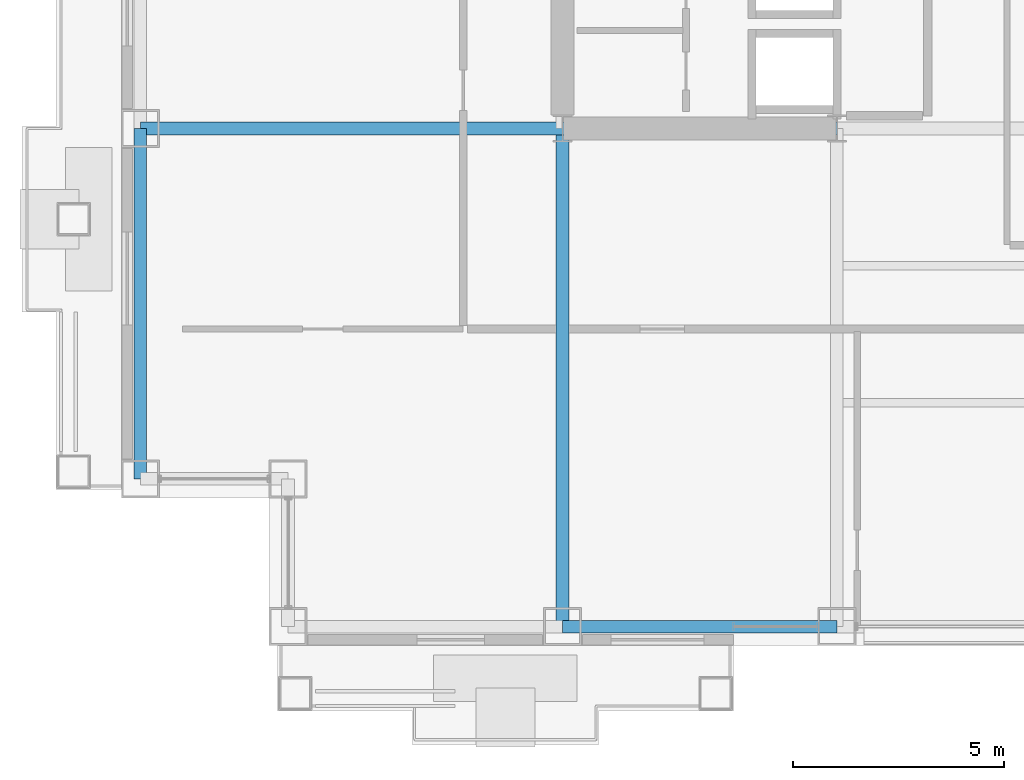
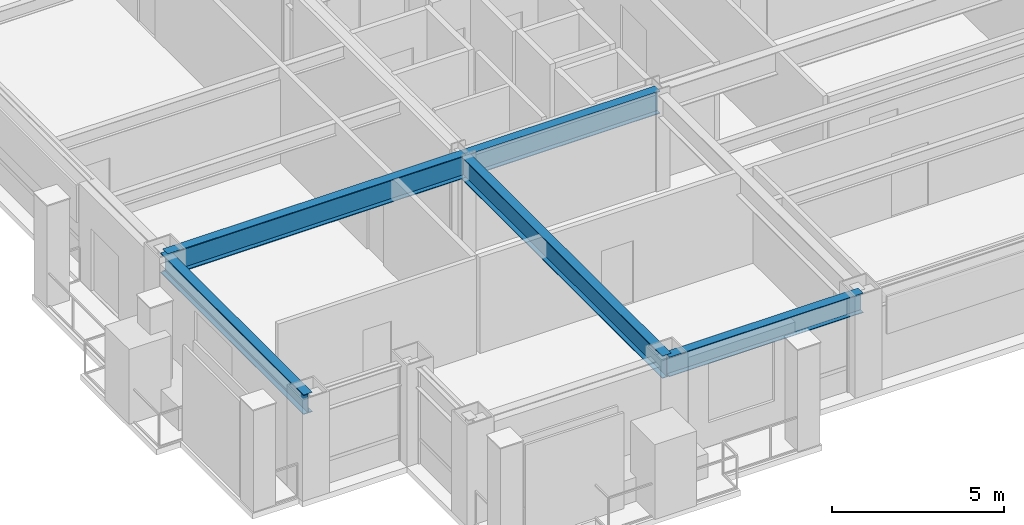
# One storey, part 3 of 29: 5 beams.
"""IFC4 building model written with IfcOpenShell, lengths in metres."""

from ifc_helpers import new_model, si_unit, direction, frame, origin, origin_2d, place, context, subcontext, project, spatial, i_section, extrude, material, material_profile, profile_set, type_object, element, save


model = new_model("IFC4")

# Units and contexts
model_context = context("Model", 3, precision=1e-05, world=origin(), true_north=direction((0.0, 1.0)))
body_context = subcontext(model_context, "Body", "Model", "MODEL_VIEW")
ifc_project = project(units=[si_unit("LENGTHUNIT", "METRE"), si_unit("AREAUNIT", "SQUARE_METRE"), si_unit("VOLUMEUNIT", "CUBIC_METRE"), si_unit("PLANEANGLEUNIT", "RADIAN"), si_unit("MASSUNIT", "GRAM", prefix="KILO")], contexts=[model_context])

# Site, building, storey
site_placement = place(None, origin())
site = spatial("IfcSite", under=ifc_project, at=site_placement, CompositionType="ELEMENT")
building_placement = place(site_placement, origin())
building = spatial("IfcBuilding", under=site, at=building_placement, Name="Brelmoor Portico Tower", CompositionType="ELEMENT")
storey_placement = place(building_placement, frame((0.0, 0.0, 63.60009765625)))
storey = spatial("IfcBuildingStorey", under=building, at=storey_placement, Name="L16", CompositionType="ELEMENT", Elevation=63.60009765625)

# Beams
ifc_material = material(Name="Steel Q355B", Category="steel")
ifc_material_profile_1 = material_profile(ifc_material, i_section(OverallWidth=0.300048828125, OverallDepth=0.800048828125, WebThickness=0.013916015625, FlangeThickness=0.02587890625, at=origin_2d()), Name="HN 800x300x14x26")
ifc_profile_set_1 = profile_set([ifc_material_profile_1], Name="Steel Q355B")
beam_type_1 = type_object("IfcBeamType", Name="BM-PG-800", PredefinedType="BEAM", material=ifc_profile_set_1)
beam_1_placement = place(storey_placement, frame((-14.550048828125, -21.550048828125, 3.0), z_axis=(0.0, 1.0, 0.0), x_axis=(-1.0, 0.0, 0.0)))
element("IfcBeam", 1, at=beam_1_placement, inside=storey, type_object=beam_type_1, Name="L16 Primary Floor Girder PG-03", PredefinedType="BEAM", context=body_context, shape_type="SweptSolid", body=[
    extrude(i_section(OverallWidth=0.300048828125, OverallDepth=0.800048828125, WebThickness=0.013916015625, FlangeThickness=0.02587890625, at=origin_2d()), origin(), (0.0, 0.0, 1.0), 11.800048828125),
])
beam_2_placement = place(storey_placement, frame((-24.550048828125, -9.75, 3.0), z_axis=(1.0, 0.0, 0.0), x_axis=(0.0, 1.0, 0.0)))
element("IfcBeam", 2, at=beam_2_placement, inside=storey, type_object=beam_type_1, Name="L16 Primary Floor Girder PG-19", PredefinedType="BEAM", context=body_context, shape_type="SweptSolid", body=[
    extrude(i_section(OverallWidth=0.300048828125, OverallDepth=0.800048828125, WebThickness=0.013916015625, FlangeThickness=0.02587890625, at=origin_2d()), origin(), (0.0, 0.0, 1.0), 10.0),
])
beam_3_placement = place(storey_placement, frame((-14.550048828125, -9.75, 3.0), z_axis=(1.0, 0.0, 0.0), x_axis=(0.0, 1.0, 0.0)))
element("IfcBeam", 3, at=beam_3_placement, inside=storey, type_object=beam_type_1, Name="L16 Primary Floor Girder PG-20", PredefinedType="BEAM", context=body_context, shape_type="SweptSolid", body=[
    extrude(i_section(OverallWidth=0.300048828125, OverallDepth=0.800048828125, WebThickness=0.013916015625, FlangeThickness=0.02587890625, at=origin_2d()), origin(), (0.0, 0.0, 1.0), 6.5),
])
ifc_material_profile_2 = material_profile(ifc_material, i_section(OverallWidth=0.300048828125, OverallDepth=0.699951171875, WebThickness=0.012939453125, FlangeThickness=0.02392578125, at=origin_2d()), Name="HN 700x300x13x24")
ifc_profile_set_2 = profile_set([ifc_material_profile_2], Name="Steel Q355B")
beam_type_2 = type_object("IfcBeamType", Name="BM-SP-700", PredefinedType="SPANDREL", material=ifc_profile_set_2)
beam_4_placement = place(storey_placement, frame((-14.550048828125, -21.550048828125, 3.0498046875), z_axis=(1.0, 0.0, 0.0), x_axis=(0.0, 1.0, 0.0)))
element("IfcBeam", 4, at=beam_4_placement, inside=storey, type_object=beam_type_2, Name="L16 Perimeter Spandrel Beam SP-02", PredefinedType="SPANDREL", context=body_context, shape_type="SweptSolid", body=[
    extrude(i_section(OverallWidth=0.300048828125, OverallDepth=0.699951171875, WebThickness=0.012939453125, FlangeThickness=0.02392578125, at=origin_2d()), origin(), (0.0, 0.0, 1.0), 6.5),
])
beam_5_placement = place(storey_placement, frame((-24.550048828125, -18.050048828125, 3.0498046875), z_axis=(0.0, 1.0, 0.0), x_axis=(-1.0, 0.0, 0.0)))
element("IfcBeam", 5, at=beam_5_placement, inside=storey, type_object=beam_type_2, Name="L16 Perimeter Spandrel Beam SP-15", PredefinedType="SPANDREL", context=body_context, shape_type="SweptSolid", body=[
    extrude(i_section(OverallWidth=0.300048828125, OverallDepth=0.699951171875, WebThickness=0.012939453125, FlangeThickness=0.02392578125, at=origin_2d()), origin(), (0.0, 0.0, 1.0), 8.300048828125),
])

save(model, "model.ifc")
